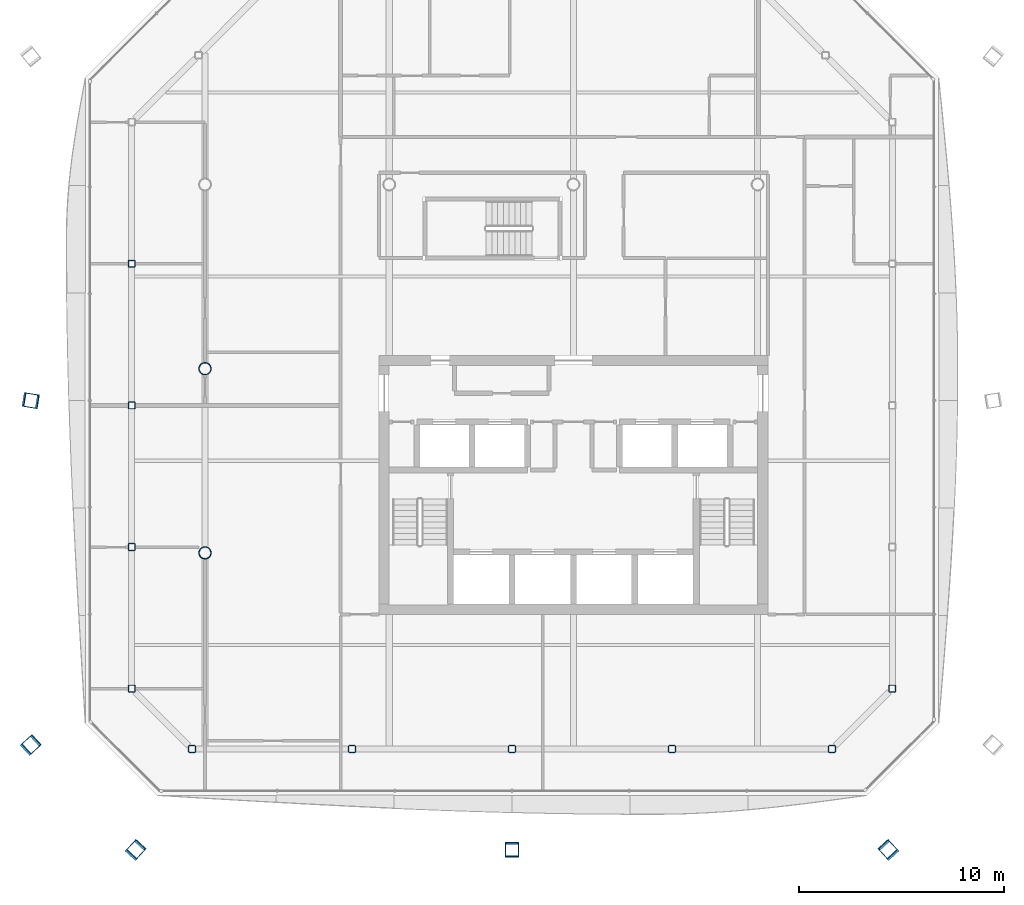
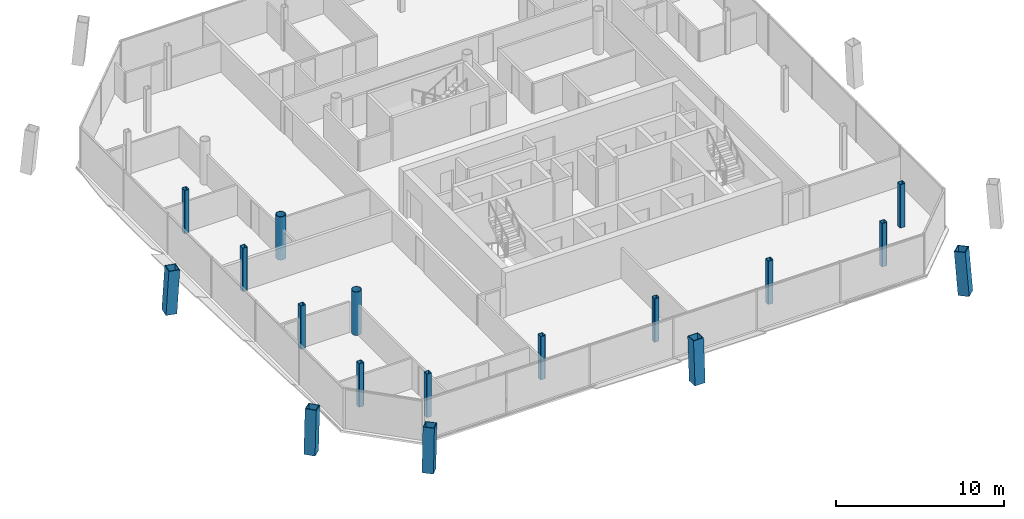
# One storey, part 1 of 20: 17 columns.
"""IFC4 building model written with IfcOpenShell, lengths in metres."""

from ifc_helpers import new_model, si_unit, direction, frame, origin, origin_2d, place, context, subcontext, project, spatial, hollow_rectangle, hollow_circle, extrude, material, material_profile, profile_set, type_object, element, save


model = new_model("IFC4")

# Units and contexts
model_context = context("Model", 3, precision=1e-05, world=origin(), true_north=direction((0.0, 1.0)))
body_context = subcontext(model_context, "Body", "Model", "MODEL_VIEW")
ifc_project = project(units=[si_unit("LENGTHUNIT", "METRE"), si_unit("AREAUNIT", "SQUARE_METRE"), si_unit("VOLUMEUNIT", "CUBIC_METRE"), si_unit("PLANEANGLEUNIT", "RADIAN"), si_unit("MASSUNIT", "GRAM", prefix="KILO")], contexts=[model_context])

# Site, building, storey
site_placement = place(None, origin())
site = spatial("IfcSite", under=ifc_project, at=site_placement, CompositionType="ELEMENT")
building_placement = place(site_placement, origin())
building = spatial("IfcBuilding", under=site, at=building_placement, Name="Tskaro Facet Tower", CompositionType="ELEMENT")
storey_placement = place(building_placement, frame((0.0, 0.0, 184.800048828125)))
storey = spatial("IfcBuildingStorey", under=building, at=storey_placement, Name="L46", CompositionType="ELEMENT", Elevation=184.800048828125)

# Columns
ifc_material_1 = material(Name="Steel S460M", Category="steel")
ifc_material_profile_1 = material_profile(ifc_material_1, hollow_rectangle(XDim=0.699951171875, YDim=0.699951171875, WallThickness=0.044921875, at=origin_2d()), Name="BOX 700x700x45")
ifc_profile_set_1 = profile_set([ifc_material_profile_1], Name="Steel S460M")
column_type_1 = type_object("IfcColumnType", Name="BOX 700x700x45 mega column", PredefinedType="COLUMN", material=ifc_profile_set_1)
column_1_placement = place(storey_placement, frame((-21.41796875, -23.5458984375, 0.0), z_axis=(0.052851955756, 0.057874436932, 0.996923878901), x_axis=(-0.738421459448, 0.674339490337, 0.0)))
element("IfcColumn", 1, at=column_1_placement, inside=storey, type_object=column_type_1, Name="BOX 700x700x45 MC01/4", PredefinedType="COLUMN", context=body_context, shape_type="SweptSolid", body=[
    extrude(hollow_rectangle(XDim=0.699951171875, YDim=0.699951171875, WallThickness=0.044921875, at=origin_2d()), origin(), (0.0, 0.0, 1.0), 3.15966796875),
])
column_2_placement = place(storey_placement, frame((-3.0, -23.5458984375, 0.0), z_axis=(0.0, 0.057955437846, 0.998319171019), x_axis=(-1.0, 0.0, 0.0)))
element("IfcColumn", 2, at=column_2_placement, inside=storey, type_object=column_type_1, Name="BOX 700x700x45 MC02/4", PredefinedType="COLUMN", context=body_context, shape_type="SweptSolid", body=[
    extrude(hollow_rectangle(XDim=0.699951171875, YDim=0.699951171875, WallThickness=0.044921875, at=origin_2d()), origin(), (0.0, 0.0, 1.0), 3.1552734375),
])
column_3_placement = place(storey_placement, frame((15.41796875, -23.5458984375, 0.0), z_axis=(-0.052851955756, 0.057874436932, 0.996923878901), x_axis=(-0.738421459448, -0.674339490337, 0.0)))
element("IfcColumn", 3, at=column_3_placement, inside=storey, type_object=column_type_1, Name="BOX 700x700x45 MC03/4", PredefinedType="COLUMN", context=body_context, shape_type="SweptSolid", body=[
    extrude(hollow_rectangle(XDim=0.699951171875, YDim=0.699951171875, WallThickness=0.044921875, at=origin_2d()), origin(), (0.0, 0.0, 1.0), 3.15966796875),
])
column_4_placement = place(storey_placement, frame((-26.5458984375, -1.553955078125, 0.0), z_axis=(0.057952813207, -0.009516950633, 0.998273959939), x_axis=(0.162048444398, 0.986782803695, 0.0)))
element("IfcColumn", 4, at=column_4_placement, inside=storey, type_object=column_type_1, Name="BOX 700x700x45 MC11/4", PredefinedType="COLUMN", context=body_context, shape_type="SweptSolid", body=[
    extrude(hollow_rectangle(XDim=0.699951171875, YDim=0.699951171875, WallThickness=0.044921875, at=origin_2d()), origin(), (0.0, 0.0, 1.0), 3.1552734375),
])
column_5_placement = place(storey_placement, frame((-26.5458984375, -18.41796875, 0.0), z_axis=(0.057874436932, 0.052851955756, 0.996923878901), x_axis=(-0.674339490337, 0.738421459448, 0.0)))
element("IfcColumn", 5, at=column_5_placement, inside=storey, type_object=column_type_1, Name="BOX 700x700x45 MC12/4", PredefinedType="COLUMN", context=body_context, shape_type="SweptSolid", body=[
    extrude(hollow_rectangle(XDim=0.699951171875, YDim=0.699951171875, WallThickness=0.044921875, at=origin_2d()), origin(), (0.0, 0.0, 1.0), 3.15966796875),
])
ifc_material_2 = material(Name="Steel S355J2H", Category="steel")
ifc_material_profile_2 = material_profile(ifc_material_2, hollow_circle(Radius=0.304931640625, WallThickness=0.030029296875, at=origin_2d()), Name="CHS 610x30")
ifc_profile_set_2 = profile_set([ifc_material_profile_2], Name="Steel S355J2H")
column_type_2 = type_object("IfcColumnType", Name="CHS 610x30 interior column", PredefinedType="COLUMN", material=ifc_profile_set_2)
for number, where, z_axis, x_axis, name in (
    (6, (-18.0, -9.0, 0.0), (0.0, 0.0, 1.0), (1.0, 0.0, 0.0), "CHS 610x30 C2C/4"),
    (7, (-18.0, 0.0, 0.0), (0.0, 0.0, 1.0), (1.0, 0.0, 0.0), "CHS 610x30 C2D/4"),
):
    element("IfcColumn", number, at=place(storey_placement, frame(where, z_axis=z_axis, x_axis=x_axis)), inside=storey, type_object=column_type_2, Name=name, PredefinedType="COLUMN", context=body_context, shape_type="SweptSolid", body=[
        extrude(hollow_circle(Radius=0.304931640625, WallThickness=0.030029296875, at=origin_2d()), origin(), (0.0, 0.0, 1.0), 3.14990234375),
    ])
ifc_material_profile_3 = material_profile(ifc_material_2, hollow_rectangle(XDim=0.35009765625, YDim=0.35009765625, WallThickness=0.02001953125, InnerFilletRadius=0.030029296875, OuterFilletRadius=0.050048828125, at=origin_2d()), Name="SHS 350x350x20")
ifc_profile_set_3 = profile_set([ifc_material_profile_3], Name="Steel S355J2H")
column_type_3 = type_object("IfcColumnType", Name="SHS 350x350x20 ring column", PredefinedType="COLUMN", material=ifc_profile_set_3)
for number, where, z_axis, x_axis, name in (
    (8, (-18.633056640625, -18.5830078125, 0.0), (0.0, 0.0, 1.0), (1.0, 0.0, 0.0), "SHS 350x350x20 RS-1/4"),
    (9, (-10.81591796875, -18.5830078125, 0.0), (0.0, 0.0, 1.0), (1.0, 0.0, 0.0), "SHS 350x350x20 RS-2/4"),
    (10, (-3.0, -18.5830078125, 0.0), (0.0, 0.0, 1.0), (1.0, 0.0, 0.0), "SHS 350x350x20 RS-3/4"),
    (11, (4.81689453125, -18.5830078125, 0.0), (0.0, 0.0, 1.0), (1.0, 0.0, 0.0), "SHS 350x350x20 RS-4/4"),
    (12, (12.633056640625, -18.5830078125, 0.0), (0.0, 0.0, 1.0), (1.0, 0.0, 0.0), "SHS 350x350x20 RSE-1/4"),
    (13, (15.5830078125, -15.633056640625, 0.0), (0.0, 0.0, 1.0), (1.0, 0.0, 0.0), "SHS 350x350x20 RE-1/4"),
    (14, (-21.5830078125, 5.1259765625, 0.0), (0.0, 0.0, 1.0), (1.0, 0.0, 0.0), "SHS 350x350x20 RW-2/4"),
    (15, (-21.5830078125, -1.79296875, 0.0), (0.0, 0.0, 1.0), (1.0, 0.0, 0.0), "SHS 350x350x20 RW-3/4"),
    (16, (-21.5830078125, -8.712890625, 0.0), (0.0, 0.0, 1.0), (1.0, 0.0, 0.0), "SHS 350x350x20 RW-4/4"),
    (17, (-21.5830078125, -15.633056640625, 0.0), (0.0, 0.0, 1.0), (1.0, 0.0, 0.0), "SHS 350x350x20 RSW-1/4"),
):
    element("IfcColumn", number, at=place(storey_placement, frame(where, z_axis=z_axis, x_axis=x_axis)), inside=storey, type_object=column_type_3, Name=name, PredefinedType="COLUMN", context=body_context, shape_type="SweptSolid", body=[
        extrude(hollow_rectangle(XDim=0.35009765625, YDim=0.35009765625, WallThickness=0.02001953125, InnerFilletRadius=0.030029296875, OuterFilletRadius=0.050048828125, at=origin_2d()), origin(), (0.0, 0.0, 1.0), 3.14990234375),
    ])

save(model, "model.ifc")
